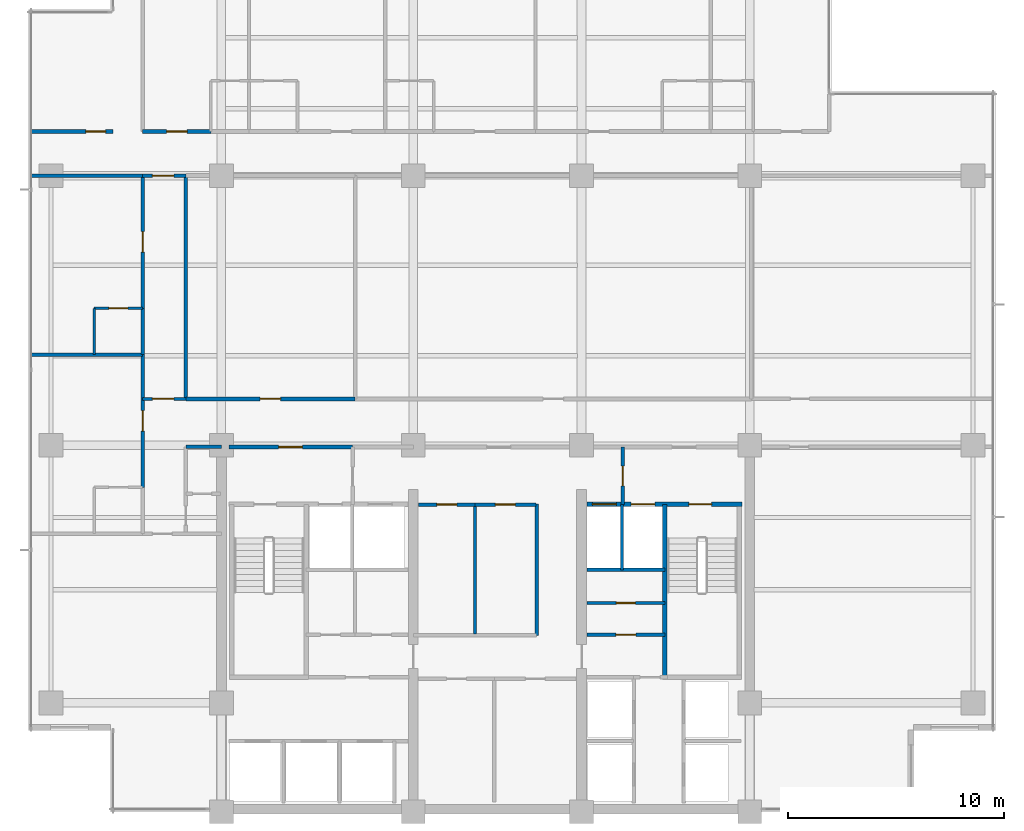
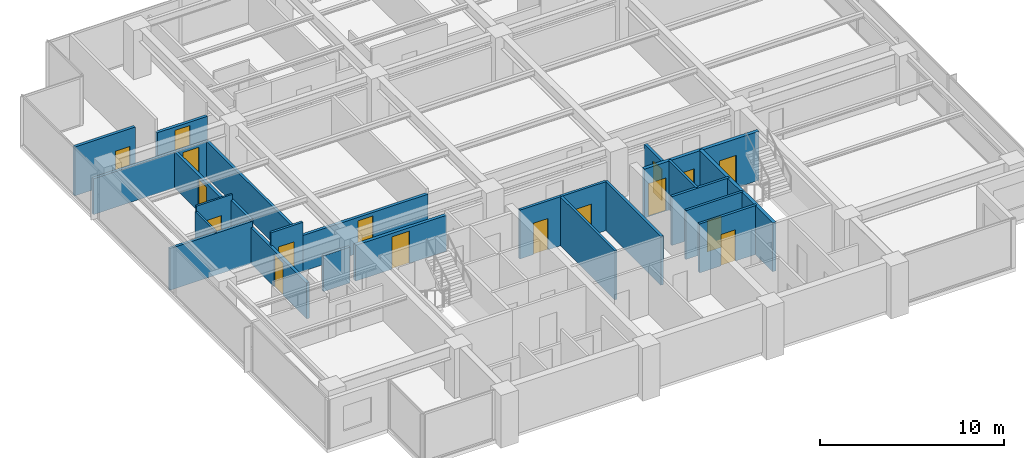
# One storey, part 8 of 15: 26 walls, 17 doors, 17 openings.
"""IFC4 building model written with IfcOpenShell, lengths in metres."""

import ifcopenshell
import ifcopenshell.guid

model = None  # the IFC model being written
_history = None  # IfcOwnerHistory: only IFC2X3 demands one
_inside = {}  # id of a spatial element -> (the spatial element, [elements in it])
_under = {}  # id of a project, library or spatial element -> (it, [spatial elements below it])
_declared = {}  # id of a project -> (the project, [libraries it declares])
_typed = {}  # id of a type object -> (the type object, [elements of that type])
_made_of = {}  # id of a material, layer set ... -> (it, [elements and type objects made of it])


def new_model(schema):
    """Start an empty IFC model of exactly this schema.

    Asked for "IFC4X3", IfcOpenShell would pick the latest addendum, in which some entities
    have other attributes; the version numbers below select the first issue.
    IFC2X3 requires an IfcOwnerHistory on every rooted entity: one is made here for all.
    """
    global model, _history
    if schema == "IFC4X3":
        model = ifcopenshell.file(schema_version=(4, 3, 0, 0))
    else:
        model = ifcopenshell.file(schema=schema)
    _inside.clear()
    _under.clear()
    _declared.clear()
    _typed.clear()
    _made_of.clear()
    _history = None
    if model.schema == "IFC2X3":
        org = make("IfcOrganization", Name="unknown")
        user = make(
            "IfcPersonAndOrganization",
            ThePerson=make("IfcPerson", FamilyName="unknown"),
            TheOrganization=org,
        )
        app = make(
            "IfcApplication",
            ApplicationDeveloper=org,
            Version="unknown",
            ApplicationFullName="unknown",
            ApplicationIdentifier="unknown",
        )
        _history = make(
            "IfcOwnerHistory",
            OwningUser=user,
            OwningApplication=app,
            ChangeAction="ADDED",
            CreationDate=0,
        )
    return model


def make(cls, **values):
    """One entity of the class cls with the attributes given. An attribute that is None is left unset."""
    return model.create_entity(
        cls, **{name: value for name, value in values.items() if value is not None}
    )


def rooted(cls, **values):
    """An entity with a GlobalId (a new one), such as an element, a storey or a relation."""
    return make(cls, GlobalId=ifcopenshell.guid.new(), OwnerHistory=_history, **values)


def si_unit(unit_type, name, prefix=None):
    """IfcSIUnit, for example si_unit("LENGTHUNIT", "METRE", prefix="MILLI")."""
    return make("IfcSIUnit", UnitType=unit_type, Prefix=prefix, Name=name)


def assignment(units):
    """IfcUnitAssignment: the units of a project."""
    return None if units is None else make("IfcUnitAssignment", Units=units)


def point(xyz):
    """IfcCartesianPoint."""
    return None if xyz is None else make("IfcCartesianPoint", Coordinates=xyz)


def direction(xyz):
    """IfcDirection."""
    return None if xyz is None else make("IfcDirection", DirectionRatios=xyz)


def frame(location, z_axis=None, x_axis=None):
    """IfcAxis2Placement3D, a coordinate frame: its origin and axes. An axis left out is left unset."""
    return make(
        "IfcAxis2Placement3D",
        Location=point(location),
        Axis=direction(z_axis),
        RefDirection=direction(x_axis),
    )


def frame_2d(location, x_axis=None):
    """IfcAxis2Placement2D, a coordinate frame in the plane: its origin and x axis."""
    return make(
        "IfcAxis2Placement2D", Location=point(location), RefDirection=direction(x_axis)
    )


def origin():
    """The frame at (0, 0, 0) with its axes left unset."""
    return frame((0.0, 0.0, 0.0))


def place(relative_to, where):
    """IfcLocalPlacement: puts the frame where relative to a parent placement (None: the world)."""
    return make(
        "IfcLocalPlacement", PlacementRelTo=relative_to, RelativePlacement=where
    )


def context(
    kind, dimensions, precision=None, world=None, true_north=None, identifier=None
):
    """IfcGeometricRepresentationContext, for example the 3D "Model" context."""
    return make(
        "IfcGeometricRepresentationContext",
        ContextIdentifier=identifier,
        ContextType=kind,
        CoordinateSpaceDimension=dimensions,
        Precision=precision,
        WorldCoordinateSystem=world,
        TrueNorth=true_north,
    )


def subcontext(parent, identifier, kind, view, scale=None):
    """IfcGeometricRepresentationSubContext, for example "Body" below "Model"."""
    return make(
        "IfcGeometricRepresentationSubContext",
        ContextIdentifier=identifier,
        ContextType=kind,
        ParentContext=parent,
        TargetScale=scale,
        TargetView=view,
    )


def project(units=None, contexts=None):
    """IfcProject with its units and contexts."""
    return rooted(
        "IfcProject",
        Name="project",
        RepresentationContexts=contexts,
        UnitsInContext=assignment(units),
    )


def spatial(cls, under=None, at=None, **own):
    """A site, building, storey or space (cls), placed at a placement, below another one or the project."""
    s = rooted(cls, ObjectPlacement=at, **own)
    if under is not None:
        _under.setdefault(under.id(), (under, []))[1].append(s)
    return s


def profile(cls, at=None, kind="AREA", **sizes):
    """A parametric profile (cls). Its sizes go by their IFC names, for example OverallWidth=200.0."""
    return make(cls, ProfileType=kind, Position=at, **sizes)


def rectangle(**sizes):
    """IfcRectangleProfileDef."""
    return profile("IfcRectangleProfileDef", **sizes)


def extrude(swept, where, along, depth):
    """IfcExtrudedAreaSolid: the profile swept, set in the frame where, extruded along a direction by depth."""
    return make(
        "IfcExtrudedAreaSolid",
        SweptArea=swept,
        Position=where,
        ExtrudedDirection=direction(along),
        Depth=depth,
    )


def shape(context_of_items, identifier, shape_type, items):
    """IfcShapeRepresentation: the items that make up one representation, for example the "Body"."""
    return make(
        "IfcShapeRepresentation",
        ContextOfItems=context_of_items,
        RepresentationIdentifier=identifier,
        RepresentationType=shape_type,
        Items=items,
    )


def material(Name=None, Category=None):
    """IfcMaterial."""
    return make("IfcMaterial", Name=Name, Category=Category)


def layer(
    of_material, thickness, ventilated=None, Name=None, Category=None, Priority=None
):
    """IfcMaterialLayer: one layer of a wall or slab, of a material (None: an air gap)."""
    return make(
        "IfcMaterialLayer",
        Material=of_material,
        LayerThickness=thickness,
        IsVentilated=ventilated,
        Name=Name,
        Category=Category,
        Priority=Priority,
    )


def layer_set(layers, Name=None):
    """IfcMaterialLayerSet."""
    return make("IfcMaterialLayerSet", MaterialLayers=layers, LayerSetName=Name)


def made_of(thing, what):
    """Note that an element or type object is made of a material, layer set ...; save() writes the relation."""
    if what is not None:
        _made_of.setdefault(what.id(), (what, []))[1].append(thing)
    return thing


def type_object(cls, material=None, **own):
    """A type object (cls), such as IfcWallType, which elements share."""
    return made_of(rooted(cls, **own), material)


def element(
    cls,
    number,
    at=None,
    inside=None,
    cuts=None,
    type_object=None,
    material=None,
    context=None,
    identifier="Body",
    shape_type=None,
    held_by="IfcProductDefinitionShape",
    body=None,
    shapes=None,
    **own,
):
    """One element of the class cls, such as IfcWall. Its Tag is "e" and its number.

    at: its placement. inside: the storey or other place that contains it. cuts: it is an
    opening in that element (IfcRelVoidsElement). A single representation is given by context,
    identifier, shape_type and body (its items); several are given by shapes. held_by: the class
    of the entity that holds the representations. save() writes the other relations.
    """
    e = rooted(cls, Tag="e%d" % number, ObjectPlacement=at, **own)
    if body is not None:
        shapes = [shape(context, identifier, shape_type, body)]
    if shapes is not None:
        e.Representation = make(held_by, Representations=shapes)
    if inside is not None:
        _inside.setdefault(inside.id(), (inside, []))[1].append(e)
    if cuts is not None:
        rooted(
            "IfcRelVoidsElement", RelatingBuildingElement=cuts, RelatedOpeningElement=e
        )
    if type_object is not None:
        _typed.setdefault(type_object.id(), (type_object, []))[1].append(e)
    return made_of(e, material)


def fill(opening, filler):
    """IfcRelFillsElement: the door or window that sits in an opening."""
    return rooted(
        "IfcRelFillsElement",
        RelatingOpeningElement=opening,
        RelatedBuildingElement=filler,
    )


def aggregate(whole, parts):
    """IfcRelAggregates: a whole, such as a stair, and the parts it consists of."""
    return rooted("IfcRelAggregates", RelatingObject=whole, RelatedObjects=parts)


def save(model, path):
    """Write the relations noted so far, then the file.

    IfcRelAggregates (storeys below a building ...), IfcRelContainedInSpatialStructure (elements
    in a storey), IfcRelDefinesByType, IfcRelAssociatesMaterial and IfcRelDeclares: one each for
    every whole, place, type object, material and project.
    """
    for whole, parts in _under.values():
        aggregate(whole, parts)
    for where, things in _inside.values():
        rooted(
            "IfcRelContainedInSpatialStructure",
            RelatedElements=things,
            RelatingStructure=where,
        )
    for kind, things in _typed.values():
        rooted("IfcRelDefinesByType", RelatedObjects=things, RelatingType=kind)
    for what, things in _made_of.values():
        rooted("IfcRelAssociatesMaterial", RelatedObjects=things, RelatingMaterial=what)
    for by, libraries in _declared.values():
        rooted("IfcRelDeclares", RelatingContext=by, RelatedDefinitions=libraries)
    model.write(path)


model = new_model("IFC4")

# Units and contexts
model_context = context("Model", 3, precision=1e-05, world=origin(), true_north=direction((0.0, 1.0)))
body_context = subcontext(model_context, "Body", "Model", "MODEL_VIEW")
ifc_project = project(units=[si_unit("LENGTHUNIT", "METRE"), si_unit("AREAUNIT", "SQUARE_METRE"), si_unit("VOLUMEUNIT", "CUBIC_METRE"), si_unit("PLANEANGLEUNIT", "RADIAN"), si_unit("MASSUNIT", "GRAM", prefix="KILO")], contexts=[model_context])

# Site, building, storey
site_placement = place(None, origin())
site = spatial("IfcSite", under=ifc_project, at=site_placement, CompositionType="ELEMENT")
building_placement = place(site_placement, origin())
building = spatial("IfcBuilding", under=site, at=building_placement, Name="Qalmaran Belvedere Hotel", CompositionType="ELEMENT")
storey_placement = place(building_placement, frame((0.0, 0.0, 173.60009765625)))
storey = spatial("IfcBuildingStorey", under=building, at=storey_placement, Name="L44", CompositionType="ELEMENT", Elevation=173.60009765625)

# Wall, opening, door
ifc_material_1 = material(Name="Moisture-Resistant Gypsum")
ifc_layer_1 = layer(ifc_material_1, 0.1201171875, Name="Moisture-Resistant Gypsum")
ifc_layer_set_1 = layer_set([ifc_layer_1], Name="Moisture-Resistant Gypsum")
wall_type_1 = type_object("IfcWallType", Name="WL-INT-120-BATH", PredefinedType="PARTITIONING", material=ifc_layer_set_1)
wall_1_placement = place(storey_placement, frame((14.39990234375, 26.85009765625, 0.0), z_axis=(0.0, 0.0, 1.0), x_axis=(1.0, 0.0, 0.0)))
wall_1 = element("IfcWall", 1, at=wall_1_placement, inside=storey, type_object=wall_type_1, Name="L44 Partition WL-L44-WBN01", PredefinedType="PARTITIONING", context=body_context, shape_type="SweptSolid", body=[
    extrude(rectangle(XDim=2.25, YDim=0.1201171875, at=frame_2d((1.125, 0.0))), origin(), (0.0, 0.0, 1.0), 3.25),
])
opening_1_placement = place(wall_1_placement, frame((1.56494140625, 0.0, 0.0), z_axis=(0.0, 0.0, 1.0), x_axis=(-1.0, 0.0, 0.0)))
opening_1 = element("IfcOpeningElement", 2, at=opening_1_placement, cuts=wall_1, Name="Opening D-BATH", PredefinedType="OPENING", context=body_context, shape_type="SweptSolid", body=[
    extrude(rectangle(XDim=0.8798828125, YDim=2.080078125, at=frame_2d((0.43994140625, 1.0400390625))), frame((0.0, 0.070068359375, 0.0), z_axis=(0.0, -1.0, 0.0), x_axis=(1.0, 0.0, 0.0)), (0.0, 0.0, 1.0), 0.14013671875),
])
ifc_material_2 = material(Name="Engineered Oak Veneer")
door_type_1 = type_object("IfcDoorType", Name="DR-INT-BATH-880X2080", OperationType="NOTDEFINED", PredefinedType="DOOR", material=ifc_material_2)
door_1_placement = place(opening_1_placement, origin())
door_1 = element("IfcDoor", 3, at=door_1_placement, inside=storey, type_object=door_type_1, Name="L44 W Ensuite Door 02", OperationType="SINGLE_SWING_RIGHT", OverallHeight=2.080078125, OverallWidth=0.8798828125, PredefinedType="DOOR", context=body_context, shape_type="SweptSolid", body=[
    extrude(rectangle(XDim=0.8798828125, YDim=2.080078125, at=frame_2d((0.43994140625, 1.0400390625))), frame((0.0, 0.02490234375, 0.0), z_axis=(0.0, -1.0, 0.0), x_axis=(1.0, 0.0, 0.0)), (0.0, 0.0, 1.0), 0.050048828125),
])
fill(opening_1, door_1)

# Walls
wall_2_placement = place(storey_placement, frame((14.39990234375, 24.699951171875, 0.0), z_axis=(0.0, 0.0, 1.0), x_axis=(0.0, 1.0, 0.0)))
element("IfcWall", 4, at=wall_2_placement, inside=storey, type_object=wall_type_1, Name="L44 Partition WL-L44-WBS01", PredefinedType="PARTITIONING", context=body_context, shape_type="SweptSolid", body=[
    extrude(rectangle(XDim=2.150146484375, YDim=0.1201171875, at=frame_2d((1.0751953125, 0.0))), origin(), (0.0, 0.0, 1.0), 2.880859375),
])
ifc_material_3 = material(Name="Gypsum Stud Partition")
ifc_layer_2 = layer(ifc_material_3, 0.14990234375, Name="Gypsum Stud Partition")
ifc_layer_set_2 = layer_set([ifc_layer_2], Name="Gypsum Stud Partition")
wall_type_2 = type_object("IfcWallType", Name="WL-INT-150-EI120", PredefinedType="PARTITIONING", material=ifc_layer_set_2)
wall_3_placement = place(storey_placement, frame((38.8798828125, 14.719970703125, 0.0), z_axis=(0.0, 0.0, 1.0), x_axis=(0.0, 1.0, 0.0)))
element("IfcWall", 5, at=wall_3_placement, inside=storey, type_object=wall_type_2, Name="L44 Partition WL-FF2M-L44", PredefinedType="PARTITIONING", context=body_context, shape_type="SweptSolid", body=[
    extrude(rectangle(XDim=3.0400390625, YDim=0.14990234375, at=frame_2d((1.52001953125, 0.0))), origin(), (0.0, 0.0, 1.0), 3.25),
])

# Wall, opening, door
ifc_layer_3 = layer(ifc_material_3, 0.14990234375, Name="Gypsum Stud Partition")
ifc_layer_set_3 = layer_set([ifc_layer_3], Name="Gypsum Stud Partition")
wall_type_3 = type_object("IfcWallType", Name="WL-INT-150-EI60", PredefinedType="PARTITIONING", material=ifc_layer_set_3)
wall_4_placement = place(storey_placement, frame((37.25, 13.18505859375, 0.0), z_axis=(0.0, 0.0, 1.0), x_axis=(1.0, 0.0, 0.0)))
wall_4 = element("IfcWall", 6, at=wall_4_placement, inside=storey, type_object=wall_type_3, Name="L44 Partition WL-L44-KEHM", PredefinedType="PARTITIONING", context=body_context, shape_type="SweptSolid", body=[
    extrude(rectangle(XDim=3.610107421875, YDim=0.14990234375, at=frame_2d((1.80517578125, 0.0))), origin(), (0.0, 0.0, 1.0), 3.25),
])
opening_2_placement = place(wall_4_placement, frame((1.364990234375, 0.0, 0.0)))
opening_2 = element("IfcOpeningElement", 7, at=opening_2_placement, cuts=wall_4, Name="Opening FD60B", PredefinedType="OPENING", context=body_context, shape_type="SweptSolid", body=[
    extrude(rectangle(XDim=0.8798828125, YDim=2.080078125, at=frame_2d((0.43994140625, 1.0400390625))), frame((0.0, 0.0849609375, 0.0), z_axis=(0.0, -1.0, 0.0), x_axis=(1.0, 0.0, 0.0)), (0.0, 0.0, 1.0), 0.169921875),
])
ifc_material_4 = material(Name="Steel S355JR", Category="steel")
door_type_2 = type_object("IfcDoorType", Name="DR-FD60B-880X2080", OperationType="NOTDEFINED", PredefinedType="DOOR", material=ifc_material_4)
door_2_placement = place(opening_2_placement, origin())
door_2 = element("IfcDoor", 8, at=door_2_placement, inside=storey, type_object=door_type_2, Name="L44 Hotel Linen Closet Door", OperationType="SINGLE_SWING_LEFT", OverallHeight=2.080078125, OverallWidth=0.8798828125, PredefinedType="DOOR", context=body_context, shape_type="SweptSolid", body=[
    extrude(rectangle(XDim=0.8798828125, YDim=2.080078125, at=frame_2d((0.43994140625, 1.0400390625))), frame((0.0, 0.02490234375, 0.0), z_axis=(0.0, -1.0, 0.0), x_axis=(1.0, 0.0, 0.0)), (0.0, 0.0, 1.0), 0.050048828125),
])
fill(opening_2, door_2)

# Wall
wall_5_placement = place(storey_placement, frame((32.056396484375, 11.739990234375, 0.0), z_axis=(0.0, 0.0, 1.0), x_axis=(0.0, 1.0, 0.0)))
element("IfcWall", 9, at=wall_5_placement, inside=storey, type_object=wall_type_3, Name="L44 Partition WL-L44-KPMV1", PredefinedType="PARTITIONING", context=body_context, shape_type="SweptSolid", body=[
    extrude(rectangle(XDim=6.010009765625, YDim=0.14990234375, at=frame_2d((3.0048828125, 0.0))), origin(), (0.0, 0.0, 1.0), 3.25),
])

# Wall, opening, door
wall_6_placement = place(storey_placement, frame((16.64990234375, 22.64990234375, 0.0), z_axis=(0.0, 0.0, 1.0), x_axis=(1.0, 0.0, 0.0)))
wall_6 = element("IfcWall", 10, at=wall_6_placement, inside=storey, type_object=wall_type_3, Name="L44 Partition WL-L44-XCW1", PredefinedType="PARTITIONING", context=body_context, shape_type="SweptSolid", body=[
    extrude(rectangle(XDim=2.0, YDim=0.14990234375, at=frame_2d((1.0, 0.0))), origin(), (0.0, 0.0, 1.0), 3.25),
])
opening_3_placement = place(wall_6_placement, frame((0.449951171875, 0.0, 0.0)))
opening_3 = element("IfcOpeningElement", 11, at=opening_3_placement, cuts=wall_6, Name="Opening FD90B", PredefinedType="OPENING", context=body_context, shape_type="SweptSolid", body=[
    extrude(rectangle(XDim=1.0, YDim=2.14990234375, at=frame_2d((0.5, 1.074951171875))), frame((0.0, 0.0849609375, 0.0), z_axis=(0.0, -1.0, 0.0), x_axis=(1.0, 0.0, 0.0)), (0.0, 0.0, 1.0), 0.169921875),
])
door_type_3 = type_object("IfcDoorType", Name="DR-FD90B-1000X2150", OperationType="NOTDEFINED", PredefinedType="DOOR", material=ifc_material_4)
door_3_placement = place(opening_3_placement, origin())
door_3 = element("IfcDoor", 12, at=door_3_placement, inside=storey, type_object=door_type_3, Name="L44 West Corridor Smoke Door S", OperationType="SINGLE_SWING_RIGHT", OverallHeight=2.14990234375, OverallWidth=1.0, PredefinedType="DOOR", context=body_context, shape_type="SweptSolid", body=[
    extrude(rectangle(XDim=1.0, YDim=2.14990234375, at=frame_2d((0.5, 1.074951171875))), frame((0.0, 0.02490234375, 0.0), z_axis=(0.0, -1.0, 0.0), x_axis=(1.0, 0.0, 0.0)), (0.0, 0.0, 1.0), 0.050048828125),
])
fill(opening_3, door_3)

wall_7_placement = place(storey_placement, frame((16.64990234375, 33.0, 0.0), z_axis=(0.0, 0.0, 1.0), x_axis=(1.0, 0.0, 0.0)))
wall_7 = element("IfcWall", 13, at=wall_7_placement, inside=storey, type_object=wall_type_3, Name="L44 Partition WL-L44-XCW2", PredefinedType="PARTITIONING", context=body_context, shape_type="SweptSolid", body=[
    extrude(rectangle(XDim=2.0, YDim=0.14990234375, at=frame_2d((1.0, 0.0))), origin(), (0.0, 0.0, 1.0), 2.3798828125),
])
opening_4_placement = place(wall_7_placement, frame((0.449951171875, 0.0, 0.0)))
opening_4 = element("IfcOpeningElement", 14, at=opening_4_placement, cuts=wall_7, Name="Opening FD90B", PredefinedType="OPENING", context=body_context, shape_type="SweptSolid", body=[
    extrude(rectangle(XDim=1.0, YDim=2.14990234375, at=frame_2d((0.5, 1.074951171875))), frame((0.0, 0.0849609375, 0.0), z_axis=(0.0, -1.0, 0.0), x_axis=(1.0, 0.0, 0.0)), (0.0, 0.0, 1.0), 0.169921875),
])
door_4_placement = place(opening_4_placement, origin())
door_4 = element("IfcDoor", 15, at=door_4_placement, inside=storey, type_object=door_type_3, Name="L44 West Corridor Smoke Door N", OperationType="SINGLE_SWING_LEFT", OverallHeight=2.14990234375, OverallWidth=1.0, PredefinedType="DOOR", context=body_context, shape_type="SweptSolid", body=[
    extrude(rectangle(XDim=1.0, YDim=2.14990234375, at=frame_2d((0.5, 1.074951171875))), frame((0.0, 0.02490234375, 0.0), z_axis=(0.0, -1.0, 0.0), x_axis=(1.0, 0.0, 0.0)), (0.0, 0.0, 1.0), 0.050048828125),
])
fill(opening_4, door_4)

ifc_layer_4 = layer(ifc_material_3, 0.159912109375, Name="Gypsum Stud Partition")
ifc_layer_set_4 = layer_set([ifc_layer_4], Name="Gypsum Stud Partition")
wall_type_4 = type_object("IfcWallType", Name="WL-INT-160-EI120", PredefinedType="PARTITIONING", material=ifc_layer_set_4)
wall_8_placement = place(storey_placement, frame((38.919921875, 17.760009765625, 0.0), z_axis=(0.0, 0.0, 1.0), x_axis=(0.0, 1.0, 0.0)))
wall_8 = element("IfcWall", 16, at=wall_8_placement, inside=storey, type_object=wall_type_4, Name="L44 Partition WL-FFSV2-L44", PredefinedType="PARTITIONING", context=body_context, shape_type="SweptSolid", body=[
    extrude(rectangle(XDim=2.659912109375, YDim=0.159912109375, at=frame_2d((1.330078125, 0.0))), origin(), (0.0, 0.0, 1.0), 2.69189453125),
])
opening_5_placement = place(wall_8_placement, frame((1.77001953125, 0.0, 0.0), z_axis=(0.0, 0.0, 1.0), x_axis=(-1.0, 0.0, 0.0)))
opening_5 = element("IfcOpeningElement", 17, at=opening_5_placement, cuts=wall_8, Name="Opening FD60S1", PredefinedType="OPENING", context=body_context, shape_type="SweptSolid", body=[
    extrude(rectangle(XDim=0.919921875, YDim=2.080078125, at=frame_2d((0.4599609375, 1.0400390625))), frame((0.0, 0.08984375, 0.0), z_axis=(0.0, -1.0, 0.0), x_axis=(1.0, 0.0, 0.0)), (0.0, 0.0, 1.0), 0.179931640625),
])
door_type_4 = type_object("IfcDoorType", Name="DR-FD60S-920X2080", OperationType="NOTDEFINED", PredefinedType="DOOR", material=ifc_material_2)
door_5_placement = place(opening_5_placement, origin())
door_5 = element("IfcDoor", 18, at=door_5_placement, inside=storey, type_object=door_type_4, Name="L44 Service Lobby East Door", OperationType="SINGLE_SWING_RIGHT", OverallHeight=2.080078125, OverallWidth=0.919921875, PredefinedType="DOOR", context=body_context, shape_type="SweptSolid", body=[
    extrude(rectangle(XDim=0.919921875, YDim=2.080078125, at=frame_2d((0.4599609375, 1.0400390625))), frame((0.0, 0.02490234375, 0.0), z_axis=(0.0, -1.0, 0.0), x_axis=(1.0, 0.0, 0.0)), (0.0, 0.0, 1.0), 0.050048828125),
])
fill(opening_5, door_5)

# Wall
wall_9_placement = place(storey_placement, frame((37.25, 14.719970703125, 0.0), z_axis=(0.0, 0.0, 1.0), x_axis=(1.0, 0.0, 0.0)))
element("IfcWall", 19, at=wall_9_placement, inside=storey, type_object=wall_type_4, Name="L44 Partition WL-FF2S-L44", PredefinedType="PARTITIONING", context=body_context, shape_type="SweptSolid", body=[
    extrude(rectangle(XDim=3.610107421875, YDim=0.159912109375, at=frame_2d((1.80517578125, 0.0))), origin(), (0.0, 0.0, 1.0), 3.25),
])

# Wall, opening, door
ifc_layer_5 = layer(ifc_material_3, 0.159912109375, Name="Gypsum Stud Partition")
ifc_layer_set_5 = layer_set([ifc_layer_5], Name="Gypsum Stud Partition")
wall_type_5 = type_object("IfcWallType", Name="WL-INT-160-EI60", PredefinedType="PARTITIONING", material=ifc_layer_set_5)
wall_10_placement = place(storey_placement, frame((37.25, 11.719970703125, 0.0), z_axis=(0.0, 0.0, 1.0), x_axis=(1.0, 0.0, 0.0)))
wall_10 = element("IfcWall", 20, at=wall_10_placement, inside=storey, type_object=wall_type_5, Name="L44 Partition WL-L44-KEE1", PredefinedType="PARTITIONING", context=body_context, shape_type="SweptSolid", body=[
    extrude(rectangle(XDim=3.610107421875, YDim=0.159912109375, at=frame_2d((1.80517578125, 0.0))), origin(), (0.0, 0.0, 1.0), 3.25),
])
opening_6_placement = place(wall_10_placement, frame((1.344970703125, 0.0, 0.0)))
opening_6 = element("IfcOpeningElement", 21, at=opening_6_placement, cuts=wall_10, Name="Opening FD60S1", PredefinedType="OPENING", context=body_context, shape_type="SweptSolid", body=[
    extrude(rectangle(XDim=0.919921875, YDim=2.080078125, at=frame_2d((0.4599609375, 1.0400390625))), frame((0.0, 0.08984375, 0.0), z_axis=(0.0, -1.0, 0.0), x_axis=(1.0, 0.0, 0.0)), (0.0, 0.0, 1.0), 0.179931640625),
])
door_6_placement = place(opening_6_placement, origin())
door_6 = element("IfcDoor", 22, at=door_6_placement, inside=storey, type_object=door_type_4, Name="L44 Low Voltage Switch Room Door", OperationType="SINGLE_SWING_RIGHT", OverallHeight=2.080078125, OverallWidth=0.919921875, PredefinedType="DOOR", context=body_context, shape_type="SweptSolid", body=[
    extrude(rectangle(XDim=0.919921875, YDim=2.080078125, at=frame_2d((0.4599609375, 1.0400390625))), frame((0.0, 0.02490234375, 0.0), z_axis=(0.0, -1.0, 0.0), x_axis=(1.0, 0.0, 0.0)), (0.0, 0.0, 1.0), 0.050048828125),
])
fill(opening_6, door_6)

# Wall
wall_11_placement = place(storey_placement, frame((34.919921875, 11.679931640625, 0.0), z_axis=(0.0, 0.0, 1.0), x_axis=(0.0, 1.0, 0.0)))
element("IfcWall", 23, at=wall_11_placement, inside=storey, type_object=wall_type_5, Name="L44 Partition WL-CLLV-L44", PredefinedType="PARTITIONING", context=body_context, shape_type="SweptSolid", body=[
    extrude(rectangle(XDim=6.10009765625, YDim=0.159912109375, at=frame_2d((3.050048828125, 0.0))), origin(), (0.0, 0.0, 1.0), 3.25),
])

# Wall, opening, door
wall_12_placement = place(storey_placement, frame((29.449951171875, 17.75, 0.0), z_axis=(0.0, 0.0, 1.0), x_axis=(1.0, 0.0, 0.0)))
wall_12 = element("IfcWall", 24, at=wall_12_placement, inside=storey, type_object=wall_type_5, Name="L44 Partition WL-L44-KPME1", PredefinedType="PARTITIONING", context=body_context, shape_type="SweptSolid", body=[
    extrude(rectangle(XDim=2.6064453125, YDim=0.159912109375, at=frame_2d((1.30322265625, 0.0))), origin(), (0.0, 0.0, 1.0), 3.25),
])
opening_7_placement = place(wall_12_placement, frame((1.76318359375, 0.0, 0.0), z_axis=(0.0, 0.0, 1.0), x_axis=(-1.0, 0.0, 0.0)))
opening_7 = element("IfcOpeningElement", 25, at=opening_7_placement, cuts=wall_12, Name="Opening FD60S1", PredefinedType="OPENING", context=body_context, shape_type="SweptSolid", body=[
    extrude(rectangle(XDim=0.919921875, YDim=2.080078125, at=frame_2d((0.4599609375, 1.0400390625))), frame((0.0, 0.08984375, 0.0), z_axis=(0.0, -1.0, 0.0), x_axis=(1.0, 0.0, 0.0)), (0.0, 0.0, 1.0), 0.179931640625),
])
door_7_placement = place(opening_7_placement, origin())
door_7 = element("IfcDoor", 26, at=door_7_placement, inside=storey, type_object=door_type_4, Name="L44 Floor Linen Supply Store Door", OperationType="SINGLE_SWING_RIGHT", OverallHeight=2.080078125, OverallWidth=0.919921875, PredefinedType="DOOR", context=body_context, shape_type="SweptSolid", body=[
    extrude(rectangle(XDim=0.919921875, YDim=2.080078125, at=frame_2d((0.4599609375, 1.0400390625))), frame((0.0, 0.02490234375, 0.0), z_axis=(0.0, -1.0, 0.0), x_axis=(1.0, 0.0, 0.0)), (0.0, 0.0, 1.0), 0.050048828125),
])
fill(opening_7, door_7)

wall_13_placement = place(storey_placement, frame((32.056396484375, 17.75, 0.0), z_axis=(0.0, 0.0, 1.0), x_axis=(1.0, 0.0, 0.0)))
wall_13 = element("IfcWall", 27, at=wall_13_placement, inside=storey, type_object=wall_type_5, Name="L44 Partition WL-L44-KPME2", PredefinedType="PARTITIONING", context=body_context, shape_type="SweptSolid", body=[
    extrude(rectangle(XDim=2.823486328125, YDim=0.159912109375, at=frame_2d((1.41162109375, 0.0))), origin(), (0.0, 0.0, 1.0), 3.25),
])
opening_8_placement = place(wall_13_placement, frame((1.871826171875, 0.0, 0.0), z_axis=(0.0, 0.0, 1.0), x_axis=(-1.0, 0.0, 0.0)))
opening_8 = element("IfcOpeningElement", 28, at=opening_8_placement, cuts=wall_13, Name="Opening FD60S1", PredefinedType="OPENING", context=body_context, shape_type="SweptSolid", body=[
    extrude(rectangle(XDim=0.919921875, YDim=2.080078125, at=frame_2d((0.4599609375, 1.0400390625))), frame((0.0, 0.08984375, 0.0), z_axis=(0.0, -1.0, 0.0), x_axis=(1.0, 0.0, 0.0)), (0.0, 0.0, 1.0), 0.179931640625),
])
door_8_placement = place(opening_8_placement, origin())
door_8 = element("IfcDoor", 29, at=door_8_placement, inside=storey, type_object=door_type_4, Name="L44 Core Tableware Store Door", OperationType="SINGLE_SWING_LEFT", OverallHeight=2.080078125, OverallWidth=0.919921875, PredefinedType="DOOR", context=body_context, shape_type="SweptSolid", body=[
    extrude(rectangle(XDim=0.919921875, YDim=2.080078125, at=frame_2d((0.4599609375, 1.0400390625))), frame((0.0, 0.02490234375, 0.0), z_axis=(0.0, -1.0, 0.0), x_axis=(1.0, 0.0, 0.0)), (0.0, 0.0, 1.0), 0.050048828125),
])
fill(opening_8, door_8)

# Walls
wall_14_placement = place(storey_placement, frame((18.64990234375, 20.419921875, 0.0), z_axis=(0.0, 0.0, 1.0), x_axis=(1.0, 0.0, 0.0)))
element("IfcWall", 30, at=wall_14_placement, inside=storey, type_object=wall_type_5, Name="L44 Partition WL-L44-WCLN", PredefinedType="PARTITIONING", context=body_context, shape_type="SweptSolid", body=[
    extrude(rectangle(XDim=1.650146484375, YDim=0.159912109375, at=frame_2d((0.8251953125, 0.0))), origin(), (0.0, 0.0, 1.0), 2.3798828125),
])
wall_15_placement = place(storey_placement, frame((18.64990234375, 22.64990234375, 0.0), z_axis=(0.0, 0.0, 1.0), x_axis=(0.0, 1.0, 0.0)))
element("IfcWall", 31, at=wall_15_placement, inside=storey, type_object=wall_type_5, Name="L44 Partition WL-L44-MIDVL", PredefinedType="PARTITIONING", context=body_context, shape_type="SweptSolid", body=[
    extrude(rectangle(XDim=10.35009765625, YDim=0.159912109375, at=frame_2d((5.175048828125, 0.0))), origin(), (0.0, 0.0, 1.0), 2.3798828125),
])
wall_16_placement = place(storey_placement, frame((11.469970703125, 24.699951171875, 0.0), z_axis=(0.0, 0.0, 1.0), x_axis=(1.0, 0.0, 0.0)))
element("IfcWall", 32, at=wall_16_placement, inside=storey, type_object=wall_type_5, Name="L44 Partition WL-L44-WU00", PredefinedType="PARTITIONING", context=body_context, shape_type="SweptSolid", body=[
    extrude(rectangle(XDim=5.179931640625, YDim=0.159912109375, at=frame_2d((2.58984375, 0.0))), origin(), (0.0, 0.0, 1.0), 2.77197265625),
])
wall_17_placement = place(storey_placement, frame((11.469970703125, 33.0, 0.0), z_axis=(0.0, 0.0, 1.0), x_axis=(1.0, 0.0, 0.0)))
element("IfcWall", 33, at=wall_17_placement, inside=storey, type_object=wall_type_5, Name="L44 Partition WL-L44-WU01", PredefinedType="PARTITIONING", context=body_context, shape_type="SweptSolid", body=[
    extrude(rectangle(XDim=5.179931640625, YDim=0.159912109375, at=frame_2d((2.58984375, 0.0))), origin(), (0.0, 0.0, 1.0), 2.3798828125),
])

# Wall, opening, door
ifc_layer_6 = layer(ifc_material_3, 0.179931640625, Name="Gypsum Stud Partition")
ifc_layer_set_6 = layer_set([ifc_layer_6], Name="Gypsum Stud Partition")
wall_type_6 = type_object("IfcWallType", Name="WL-INT-180-EI60", PredefinedType="PARTITIONING", material=ifc_layer_set_6)
wall_18_placement = place(storey_placement, frame((18.64990234375, 22.64990234375, 0.0), z_axis=(0.0, 0.0, 1.0), x_axis=(1.0, 0.0, 0.0)))
wall_18 = element("IfcWall", 34, at=wall_18_placement, inside=storey, type_object=wall_type_6, Name="L44 Partition WL-L44-MIDD1", PredefinedType="PARTITIONING", context=body_context, shape_type="SweptSolid", body=[
    extrude(rectangle(XDim=7.85009765625, YDim=0.179931640625, at=frame_2d((3.925048828125, 0.0))), origin(), (0.0, 0.0, 1.0), 2.3798828125),
])
opening_9_placement = place(wall_18_placement, frame((3.449951171875, 0.0, 0.0)))
opening_9 = element("IfcOpeningElement", 35, at=opening_9_placement, cuts=wall_18, Name="Opening FD60", PredefinedType="OPENING", context=body_context, shape_type="SweptSolid", body=[
    extrude(rectangle(XDim=0.949951171875, YDim=2.14990234375, at=frame_2d((0.47509765625, 1.074951171875))), frame((0.0, 0.10009765625, 0.0), z_axis=(0.0, -1.0, 0.0), x_axis=(1.0, 0.0, 0.0)), (0.0, 0.0, 1.0), 0.199951171875),
])
door_type_5 = type_object("IfcDoorType", Name="DR-FD60-950X2150", OperationType="NOTDEFINED", PredefinedType="DOOR", material=ifc_material_2)
door_9_placement = place(opening_9_placement, origin())
door_9 = element("IfcDoor", 36, at=door_9_placement, inside=storey, type_object=door_type_5, Name="L44 Housekeeping and Linen Room Door", OperationType="SINGLE_SWING_RIGHT", OverallHeight=2.14990234375, OverallWidth=0.949951171875, PredefinedType="DOOR", context=body_context, shape_type="SweptSolid", body=[
    extrude(rectangle(XDim=0.949951171875, YDim=2.14990234375, at=frame_2d((0.47509765625, 1.074951171875))), frame((0.0, 0.02490234375, 0.0), z_axis=(0.0, -1.0, 0.0), x_axis=(1.0, 0.0, 0.0)), (0.0, 0.0, 1.0), 0.050048828125),
])
fill(opening_9, door_9)

wall_19_placement = place(storey_placement, frame((16.64990234375, 35.050048828125, 0.0), z_axis=(0.0, 0.0, 1.0), x_axis=(1.0, 0.0, 0.0)))
wall_19 = element("IfcWall", 37, at=wall_19_placement, inside=storey, type_object=wall_type_6, Name="L44 Partition WL-L44-NEC00", PredefinedType="PARTITIONING", context=body_context, shape_type="SweptSolid", body=[
    extrude(rectangle(XDim=3.159912109375, YDim=0.179931640625, at=frame_2d((1.580078125, 0.0))), origin(), (0.0, 0.0, 1.0), 2.3798828125),
])
opening_10_placement = place(wall_19_placement, frame((1.10498046875, 0.0, 0.0)))
opening_10 = element("IfcOpeningElement", 38, at=opening_10_placement, cuts=wall_19, Name="Opening FD60", PredefinedType="OPENING", context=body_context, shape_type="SweptSolid", body=[
    extrude(rectangle(XDim=0.949951171875, YDim=2.14990234375, at=frame_2d((0.47509765625, 1.074951171875))), frame((0.0, 0.10009765625, 0.0), z_axis=(0.0, -1.0, 0.0), x_axis=(1.0, 0.0, 0.0)), (0.0, 0.0, 1.0), 0.199951171875),
])
door_10_placement = place(opening_10_placement, origin())
door_10 = element("IfcDoor", 39, at=door_10_placement, inside=storey, type_object=door_type_5, Name="L44 Guest Entrance Door N01", OperationType="SINGLE_SWING_LEFT", OverallHeight=2.14990234375, OverallWidth=0.949951171875, PredefinedType="DOOR", context=body_context, shape_type="SweptSolid", body=[
    extrude(rectangle(XDim=0.949951171875, YDim=2.14990234375, at=frame_2d((0.47509765625, 1.074951171875))), frame((0.0, 0.02490234375, 0.0), z_axis=(0.0, -1.0, 0.0), x_axis=(1.0, 0.0, 0.0)), (0.0, 0.0, 1.0), 0.050048828125),
])
fill(opening_10, door_10)

wall_20_placement = place(storey_placement, frame((16.64990234375, 18.550048828125, 0.0), z_axis=(0.0, 0.0, 1.0), x_axis=(0.0, 1.0, 0.0)))
wall_20 = element("IfcWall", 40, at=wall_20_placement, inside=storey, type_object=wall_type_6, Name="L44 Partition WL-L44-WEC00", PredefinedType="PARTITIONING", context=body_context, shape_type="SweptSolid", body=[
    extrude(rectangle(XDim=6.14990234375, YDim=0.179931640625, at=frame_2d((3.074951171875, 0.0))), origin(), (0.0, 0.0, 1.0), 2.3798828125),
])
opening_11_placement = place(wall_20_placement, frame((2.60009765625, 0.0, 0.0)))
opening_11 = element("IfcOpeningElement", 41, at=opening_11_placement, cuts=wall_20, Name="Opening FD60", PredefinedType="OPENING", context=body_context, shape_type="SweptSolid", body=[
    extrude(rectangle(XDim=0.949951171875, YDim=2.14990234375, at=frame_2d((0.47509765625, 1.074951171875))), frame((0.0, 0.10009765625, 0.0), z_axis=(0.0, -1.0, 0.0), x_axis=(1.0, 0.0, 0.0)), (0.0, 0.0, 1.0), 0.199951171875),
])
door_11_placement = place(opening_11_placement, origin())
door_11 = element("IfcDoor", 42, at=door_11_placement, inside=storey, type_object=door_type_5, Name="L44 W Wing Door 01", OperationType="SINGLE_SWING_LEFT", OverallHeight=2.14990234375, OverallWidth=0.949951171875, PredefinedType="DOOR", context=body_context, shape_type="SweptSolid", body=[
    extrude(rectangle(XDim=0.949951171875, YDim=2.14990234375, at=frame_2d((0.47509765625, 1.074951171875))), frame((0.0, 0.02490234375, 0.0), z_axis=(0.0, -1.0, 0.0), x_axis=(1.0, 0.0, 0.0)), (0.0, 0.0, 1.0), 0.050048828125),
])
fill(opening_11, door_11)

# Wall
wall_21_placement = place(storey_placement, frame((16.64990234375, 24.699951171875, 0.0), z_axis=(0.0, 0.0, 1.0), x_axis=(0.0, 1.0, 0.0)))
element("IfcWall", 43, at=wall_21_placement, inside=storey, type_object=wall_type_6, Name="L44 Partition WL-L44-WBC01", PredefinedType="PARTITIONING", context=body_context, shape_type="SweptSolid", body=[
    extrude(rectangle(XDim=2.150146484375, YDim=0.179931640625, at=frame_2d((1.0751953125, 0.0))), origin(), (0.0, 0.0, 1.0), 2.880859375),
])

# Wall, opening, door
wall_22_placement = place(storey_placement, frame((16.64990234375, 26.85009765625, 0.0), z_axis=(0.0, 0.0, 1.0), x_axis=(0.0, 1.0, 0.0)))
wall_22 = element("IfcWall", 44, at=wall_22_placement, inside=storey, type_object=wall_type_6, Name="L44 Partition WL-L44-WEC01", PredefinedType="PARTITIONING", context=body_context, shape_type="SweptSolid", body=[
    extrude(rectangle(XDim=6.14990234375, YDim=0.179931640625, at=frame_2d((3.074951171875, 0.0))), origin(), (0.0, 0.0, 1.0), 2.3798828125),
])
opening_12_placement = place(wall_22_placement, frame((2.60009765625, 0.0, 0.0)))
opening_12 = element("IfcOpeningElement", 45, at=opening_12_placement, cuts=wall_22, Name="Opening FD60", PredefinedType="OPENING", context=body_context, shape_type="SweptSolid", body=[
    extrude(rectangle(XDim=0.949951171875, YDim=2.14990234375, at=frame_2d((0.47509765625, 1.074951171875))), frame((0.0, 0.10009765625, 0.0), z_axis=(0.0, -1.0, 0.0), x_axis=(1.0, 0.0, 0.0)), (0.0, 0.0, 1.0), 0.199951171875),
])
door_12_placement = place(opening_12_placement, origin())
door_12 = element("IfcDoor", 46, at=door_12_placement, inside=storey, type_object=door_type_5, Name="L44 W Wing Door 02", OperationType="SINGLE_SWING_LEFT", OverallHeight=2.14990234375, OverallWidth=0.949951171875, PredefinedType="DOOR", context=body_context, shape_type="SweptSolid", body=[
    extrude(rectangle(XDim=0.949951171875, YDim=2.14990234375, at=frame_2d((0.47509765625, 1.074951171875))), frame((0.0, 0.02490234375, 0.0), z_axis=(0.0, -1.0, 0.0), x_axis=(1.0, 0.0, 0.0)), (0.0, 0.0, 1.0), 0.050048828125),
])
fill(opening_12, door_12)

wall_23_placement = place(storey_placement, frame((11.469970703125, 35.050048828125, 0.0), z_axis=(0.0, 0.0, 1.0), x_axis=(1.0, 0.0, 0.0)))
wall_23 = element("IfcWall", 47, at=wall_23_placement, inside=storey, type_object=wall_type_6, Name="L44 Partition WL-L44-NWSD", PredefinedType="PARTITIONING", context=body_context, shape_type="SweptSolid", body=[
    extrude(rectangle(XDim=3.800048828125, YDim=0.179931640625, at=frame_2d((1.89990234375, 0.0))), origin(), (0.0, 0.0, 1.0), 3.25),
])
opening_13_placement = place(wall_23_placement, frame((2.543701171875, 0.0, 0.0)))
opening_13 = element("IfcOpeningElement", 48, at=opening_13_placement, cuts=wall_23, Name="Opening FD60S1", PredefinedType="OPENING", context=body_context, shape_type="SweptSolid", body=[
    extrude(rectangle(XDim=0.919921875, YDim=2.080078125, at=frame_2d((0.4599609375, 1.0400390625))), frame((0.0, 0.10009765625, 0.0), z_axis=(0.0, -1.0, 0.0), x_axis=(1.0, 0.0, 0.0)), (0.0, 0.0, 1.0), 0.199951171875),
])
door_13_placement = place(opening_13_placement, origin())
door_13 = element("IfcDoor", 49, at=door_13_placement, inside=storey, type_object=door_type_4, Name="L44 NW Belvedere Study Door", OperationType="SINGLE_SWING_RIGHT", OverallHeight=2.080078125, OverallWidth=0.919921875, PredefinedType="DOOR", context=body_context, shape_type="SweptSolid", body=[
    extrude(rectangle(XDim=0.919921875, YDim=2.080078125, at=frame_2d((0.4599609375, 1.0400390625))), frame((0.0, 0.02490234375, 0.0), z_axis=(0.0, -1.0, 0.0), x_axis=(1.0, 0.0, 0.0)), (0.0, 0.0, 1.0), 0.050048828125),
])
fill(opening_13, door_13)

ifc_material_5 = material(Name="Concrete C30/37 Blockwork", Category="masonry")
ifc_layer_7 = layer(ifc_material_5, 0.199951171875, Name="Concrete C30/37 Blockwork")
ifc_layer_set_7 = layer_set([ifc_layer_7], Name="Concrete C30/37 Blockwork")
wall_type_7 = type_object("IfcWallType", Name="WL-INT-200-EI120", PredefinedType="PARTITIONING", material=ifc_layer_set_7)
wall_24_placement = place(storey_placement, frame((20.64990234375, 20.419921875, 0.0), z_axis=(0.0, 0.0, 1.0), x_axis=(1.0, 0.0, 0.0)))
wall_24 = element("IfcWall", 50, at=wall_24_placement, inside=storey, type_object=wall_type_7, Name="L44 Partition WL-CN1A-L44", PredefinedType="PARTITIONING", context=body_context, shape_type="SweptSolid", body=[
    extrude(rectangle(XDim=5.72998046875, YDim=0.199951171875, at=frame_2d((2.864990234375, 0.0))), origin(), (0.0, 0.0, 1.0), 2.3798828125),
])
opening_14_placement = place(wall_24_placement, frame((2.300048828125, 0.0, 0.0)))
opening_14 = element("IfcOpeningElement", 51, at=opening_14_placement, cuts=wall_24, Name="Opening FD90", PredefinedType="OPENING", context=body_context, shape_type="SweptSolid", body=[
    extrude(rectangle(XDim=1.10009765625, YDim=2.14990234375, at=frame_2d((0.550048828125, 1.074951171875))), frame((0.0, 0.10986328125, 0.0), z_axis=(0.0, -1.0, 0.0), x_axis=(1.0, 0.0, 0.0)), (0.0, 0.0, 1.0), 0.219970703125),
])
door_type_6 = type_object("IfcDoorType", Name="DR-FD90-1100X2150", OperationType="NOTDEFINED", PredefinedType="DOOR", material=ifc_material_4)
door_14_placement = place(opening_14_placement, origin())
door_14 = element("IfcDoor", 52, at=door_14_placement, inside=storey, type_object=door_type_6, Name="L44 FF1 Lobby Corridor Door", OperationType="SINGLE_SWING_LEFT", OverallHeight=2.14990234375, OverallWidth=1.10009765625, PredefinedType="DOOR", context=body_context, shape_type="SweptSolid", body=[
    extrude(rectangle(XDim=1.10009765625, YDim=2.14990234375, at=frame_2d((0.550048828125, 1.074951171875))), frame((0.0, 0.02490234375, 0.0), z_axis=(0.0, -1.0, 0.0), x_axis=(1.0, 0.0, 0.0)), (0.0, 0.0, 1.0), 0.050048828125),
])
fill(opening_14, door_14)

# Wall
ifc_material_6 = material(Name="Concrete C50/60", Category="concrete")
ifc_layer_8 = layer(ifc_material_6, 0.2099609375, Name="Concrete C50/60")
ifc_layer_set_8 = layer_set([ifc_layer_8], Name="Concrete C50/60")
wall_type_8 = type_object("IfcWallType", Name="WL-STAIR-210-C50", PredefinedType="SHEAR", material=ifc_layer_set_8)
wall_25_placement = place(storey_placement, frame((40.85498046875, 9.7451171875, 0.0), z_axis=(0.0, 0.0, 1.0), x_axis=(0.0, 1.0, 0.0)))
element("IfcWall", 53, at=wall_25_placement, inside=storey, type_object=wall_type_8, Name="L44 Stair ST-2 West Bearing Wall", PredefinedType="SHEAR", context=body_context, shape_type="SweptSolid", body=[
    extrude(rectangle(XDim=8.009765625, YDim=0.2099609375, at=frame_2d((4.0048828125, 0.0))), origin(), (0.0, 0.0, 1.0), 3.25),
])

# Wall, openings, doors
wall_26_placement = place(storey_placement, frame((37.25, 17.7548828125, 0.0), z_axis=(0.0, 0.0, 1.0), x_axis=(1.0, 0.0, 0.0)))
wall_26 = element("IfcWall", 54, at=wall_26_placement, inside=storey, type_object=wall_type_8, Name="L44 East Lobby and Stair ST-2 North Bearing Wall", PredefinedType="SHEAR", context=body_context, shape_type="SweptSolid", body=[
    extrude(rectangle(XDim=7.199951171875, YDim=0.2099609375, at=frame_2d((3.60009765625, 0.0))), origin(), (0.0, 0.0, 1.0), 3.25),
])
opening_15_placement = place(wall_26_placement, frame((0.25, 0.0, 0.0)))
opening_15 = element("IfcOpeningElement", 55, at=opening_15_placement, cuts=wall_26, Name="Opening LD-SV", PredefinedType="OPENING", context=body_context, shape_type="SweptSolid", body=[
    extrude(rectangle(XDim=1.1201171875, YDim=2.199951171875, at=frame_2d((0.56005859375, 1.10009765625))), frame((0.0, 0.114990234375, 0.0), z_axis=(0.0, -1.0, 0.0), x_axis=(1.0, 0.0, 0.0)), (0.0, 0.0, 1.0), 0.22998046875),
])
opening_16_placement = place(wall_26_placement, frame((2.050048828125, 0.0, 0.0)))
opening_16 = element("IfcOpeningElement", 56, at=opening_16_placement, cuts=wall_26, Name="Opening LD-FF", PredefinedType="OPENING", context=body_context, shape_type="SweptSolid", body=[
    extrude(rectangle(XDim=1.10009765625, YDim=2.179931640625, at=frame_2d((0.550048828125, 1.08984375))), frame((0.0, 0.114990234375, 0.0), z_axis=(0.0, -1.0, 0.0), x_axis=(1.0, 0.0, 0.0)), (0.0, 0.0, 1.0), 0.22998046875),
])
opening_17_placement = place(wall_26_placement, frame((5.780029296875, 0.0, 0.0), z_axis=(0.0, 0.0, 1.0), x_axis=(-1.0, 0.0, 0.0)))
opening_17 = element("IfcOpeningElement", 57, at=opening_17_placement, cuts=wall_26, Name="Opening FD90S2", PredefinedType="OPENING", context=body_context, shape_type="SweptSolid", body=[
    extrude(rectangle(XDim=1.050048828125, YDim=2.14990234375, at=frame_2d((0.52490234375, 1.074951171875))), frame((0.0, 0.114990234375, 0.0), z_axis=(0.0, -1.0, 0.0), x_axis=(1.0, 0.0, 0.0)), (0.0, 0.0, 1.0), 0.22998046875),
])
door_type_7 = type_object("IfcDoorType", Name="DR-FD90S-1050X2150", OperationType="NOTDEFINED", PredefinedType="DOOR", material=ifc_material_4)
door_15_placement = place(opening_17_placement, origin())
door_15 = element("IfcDoor", 58, at=door_15_placement, inside=storey, type_object=door_type_7, Name="L44 Stair ST-2 Door", OperationType="SINGLE_SWING_RIGHT", OverallHeight=2.14990234375, OverallWidth=1.050048828125, PredefinedType="DOOR", context=body_context, shape_type="SweptSolid", body=[
    extrude(rectangle(XDim=1.050048828125, YDim=2.14990234375, at=frame_2d((0.52490234375, 1.074951171875))), frame((0.0, 0.02490234375, 0.0), z_axis=(0.0, -1.0, 0.0), x_axis=(1.0, 0.0, 0.0)), (0.0, 0.0, 1.0), 0.050048828125),
])
fill(opening_17, door_15)
ifc_material_7 = material(Name="Stainless Steel 1.4401", Category="steel")
door_type_8 = type_object("IfcDoorType", Name="DR-LIFT-FF-1100X2180", OperationType="DOUBLE_DOOR_SLIDING", PredefinedType="DOOR", material=ifc_material_7)
door_16_placement = place(opening_16_placement, origin())
door_16 = element("IfcDoor", 59, at=door_16_placement, inside=storey, type_object=door_type_8, Name="L44 FF2 Lift Landing Door", OperationType="DOUBLE_DOOR_SLIDING", OverallHeight=2.179931640625, OverallWidth=1.10009765625, PredefinedType="DOOR", context=body_context, shape_type="SweptSolid", body=[
    extrude(rectangle(XDim=1.10009765625, YDim=2.179931640625, at=frame_2d((0.550048828125, 1.08984375))), frame((0.0, 0.02490234375, 0.0), z_axis=(0.0, -1.0, 0.0), x_axis=(1.0, 0.0, 0.0)), (0.0, 0.0, 1.0), 0.050048828125),
])
fill(opening_16, door_16)
door_type_9 = type_object("IfcDoorType", Name="DR-LIFT-SV-1120X2200", OperationType="DOUBLE_DOOR_SLIDING", PredefinedType="DOOR", material=ifc_material_7)
door_17_placement = place(opening_15_placement, origin())
door_17 = element("IfcDoor", 60, at=door_17_placement, inside=storey, type_object=door_type_9, Name="L44 SV2 Lift Landing Door", OperationType="DOUBLE_DOOR_SLIDING", OverallHeight=2.199951171875, OverallWidth=1.1201171875, PredefinedType="DOOR", context=body_context, shape_type="SweptSolid", body=[
    extrude(rectangle(XDim=1.1201171875, YDim=2.199951171875, at=frame_2d((0.56005859375, 1.10009765625))), frame((0.0, 0.02490234375, 0.0), z_axis=(0.0, -1.0, 0.0), x_axis=(1.0, 0.0, 0.0)), (0.0, 0.0, 1.0), 0.050048828125),
])
fill(opening_15, door_17)

save(model, "model.ifc")
